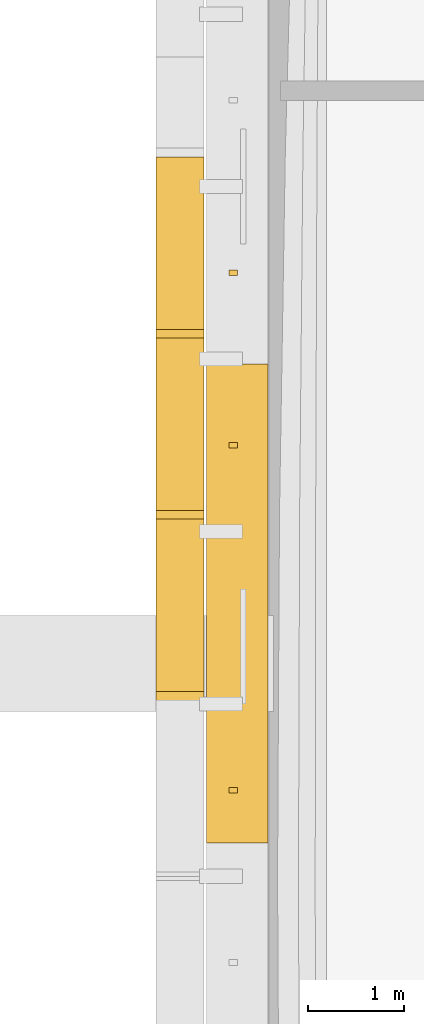
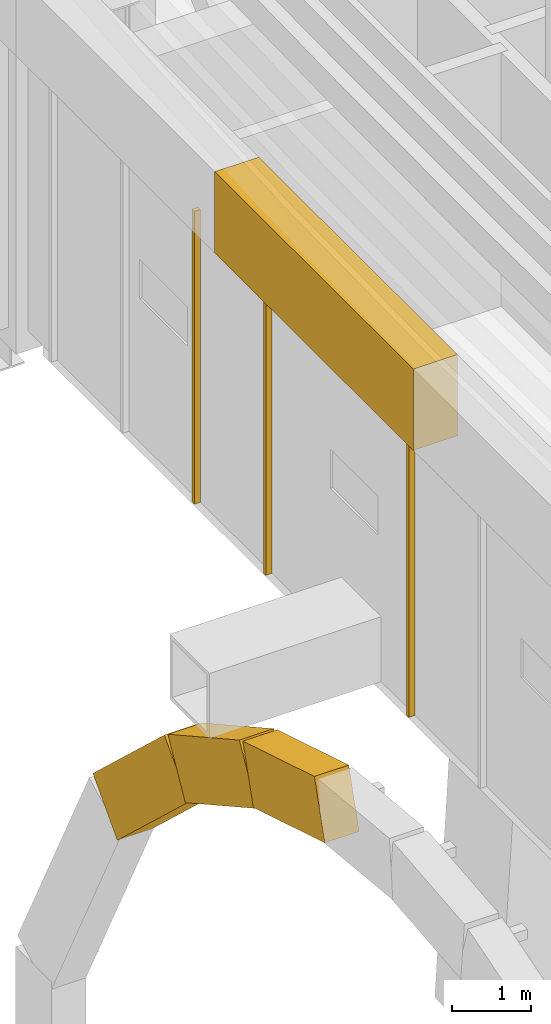
# One storey, part 26 of 39: 7 coverings.
"""IFC4 building model written with IfcOpenShell, lengths in metres."""

from ifc_helpers import new_model, si_unit, direction, frame, origin, origin_2d, place, context, subcontext, project, spatial, polyline, rectangle, outline, extrude, material, material_profile, profile_set, type_object, element, save


model = new_model("IFC4")

# Units and contexts
model_context = context("Model", 3, precision=1e-05, world=origin(), true_north=direction((0.0, 1.0)))
body_context = subcontext(model_context, "Body", "Model", "MODEL_VIEW")
ifc_project = project(units=[si_unit("LENGTHUNIT", "METRE"), si_unit("AREAUNIT", "SQUARE_METRE"), si_unit("VOLUMEUNIT", "CUBIC_METRE"), si_unit("PLANEANGLEUNIT", "RADIAN"), si_unit("MASSUNIT", "GRAM", prefix="KILO")], contexts=[model_context])

# Site, building, storey
site_placement = place(None, origin())
site = spatial("IfcSite", under=ifc_project, at=site_placement, CompositionType="ELEMENT")
building_placement = place(site_placement, origin())
building = spatial("IfcBuilding", under=site, at=building_placement, Name="Cobrizo Arcos Hotel Tower", CompositionType="ELEMENT")
storey_placement = place(building_placement, frame((0.0, 0.0, 84.5)))
storey = spatial("IfcBuildingStorey", under=building, at=storey_placement, Name="L20", CompositionType="ELEMENT", Elevation=84.5)

# Coverings
ifc_material = material(Name="Aluminium 6063-T6 anodised pale", Category="aluminium")
ifc_material_profile = material_profile(ifc_material, rectangle(XDim=0.5, YDim=0.89990234375, at=origin_2d()), Name="AF-2 core arch rim 500x900")
ifc_profile_set = profile_set([ifc_material_profile], Name="Aluminium 6063-T6 anodised pale")
covering_type_1 = type_object("IfcCoveringType", Name="AF-2 core arch rim 500x900", PredefinedType="CLADDING", material=ifc_profile_set)
covering_1_placement = place(storey_placement, frame((-24.925048828125, 1.800048828125, -1.715576171875), z_axis=(0.0, 0.956599999026, -0.291404258485), x_axis=(-1.0, 0.0, 0.0)))
element("IfcCovering", 1, at=covering_1_placement, inside=storey, type_object=covering_type_1, Name="Arch rim A W face", PredefinedType="CLADDING", context=body_context, shape_type="SweptSolid", body=[
    extrude(rectangle(XDim=0.5, YDim=0.89990234375, at=origin_2d()), origin(), (0.0, 0.0, 1.0), 1.8818359375),
])
covering_2_placement = place(storey_placement, frame((-24.925048828125, 3.60009765625, -2.263916015625), z_axis=(0.0, 0.873832790044, -0.486226547037), x_axis=(-1.0, 0.0, 0.0)))
element("IfcCovering", 2, at=covering_2_placement, inside=storey, type_object=covering_type_1, Name="Arch rim A W face", PredefinedType="CLADDING", context=body_context, shape_type="SweptSolid", body=[
    extrude(rectangle(XDim=0.5, YDim=0.89990234375, at=origin_2d()), origin(), (0.0, 0.0, 1.0), 2.0595703125),
])
covering_3_placement = place(storey_placement, frame((-24.925048828125, 5.39990234375, -3.265380859375), z_axis=(0.0, 0.73088053178, -0.682505419952), x_axis=(-1.0, 0.0, 0.0)))
element("IfcCovering", 3, at=covering_3_placement, inside=storey, type_object=covering_type_1, Name="Arch rim A W face", PredefinedType="CLADDING", context=body_context, shape_type="SweptSolid", body=[
    extrude(rectangle(XDim=0.5, YDim=0.89990234375, at=origin_2d()), origin(), (0.0, 0.0, 1.0), 2.462890625),
])
covering_type_2 = type_object("IfcCoveringType", Name="LF-1 setback skirt", PredefinedType="CLADDING", material=ifc_material)
covering_4_placement = place(storey_placement, frame((0.0, 0.0, 4.5)))
element("IfcCovering", 4, at=covering_4_placement, inside=storey, type_object=covering_type_2, Name="Setback skirt L20", PredefinedType="CLADDING", context=body_context, shape_type="SweptSolid", body=[
    extrude(outline(polyline([(-24.64990234375, 5.35009765625), (-24.64990234375, 0.35009765625), (-24.010009765625, 0.35009765625), (-24.010009765625, 5.35009765625), (-24.64990234375, 5.35009765625)])), origin(), (0.0, 0.0, 1.0), 1.25),
])
covering_type_3 = type_object("IfcCoveringType", Name="RS-1 rainscreen rib 60x90", PredefinedType="CLADDING", material=ifc_material)
for number, where, z_axis, x_axis, name in (
    (5, (-24.3701171875, 6.300048828125, 0.0), (0.0, 0.0, 1.0), (0.0, -1.0, 0.0), "Rainscreen rib 33"),
    (6, (-24.3701171875, 4.5, 0.0), (0.0, 0.0, 1.0), (0.0, -1.0, 0.0), "Rainscreen rib 34"),
    (7, (-24.3701171875, 0.89990234375, 0.0), (0.0, 0.0, 1.0), (0.0, -1.0, 0.0), "Rainscreen rib 35"),
):
    element("IfcCovering", number, at=place(storey_placement, frame(where, z_axis=z_axis, x_axis=x_axis)), inside=storey, type_object=covering_type_3, Name=name, PredefinedType="CLADDING", context=body_context, shape_type="SweptSolid", body=[
        extrude(rectangle(XDim=0.06005859375, YDim=0.090087890625, at=origin_2d()), origin(), (0.0, 0.0, 1.0), 4.5),
    ])

save(model, "model.ifc")
